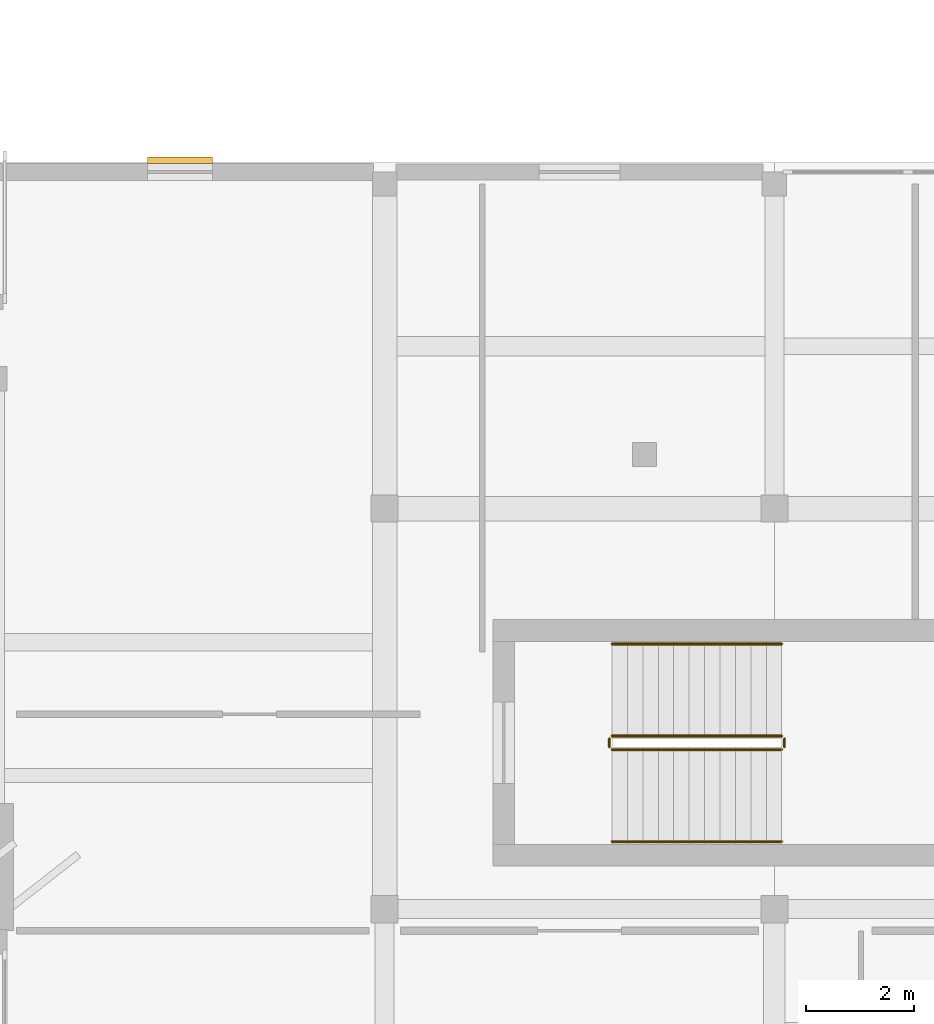
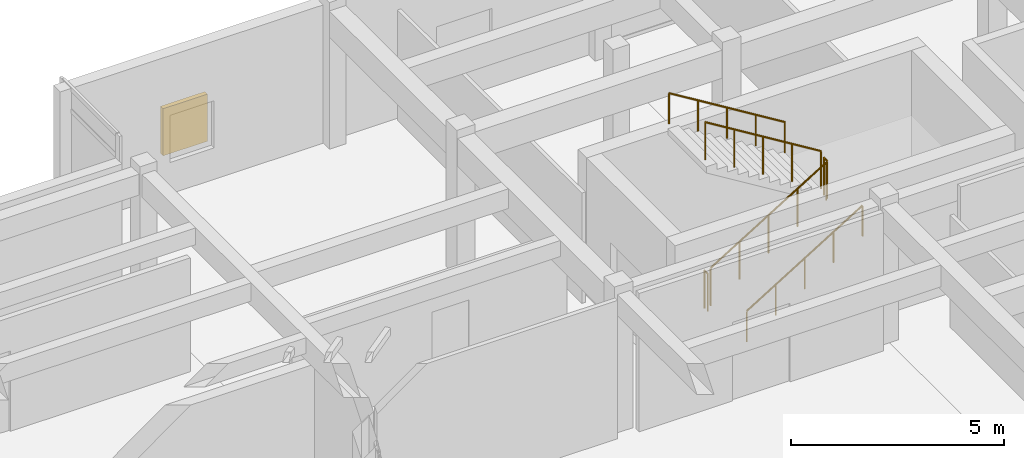
# One storey, part 44 of 47: 6 railings, 1 shading device.
"""IFC4 building model written with IfcOpenShell, lengths in metres."""

from ifc_helpers import new_model, si_unit, direction, frame, origin, origin_2d, place, context, subcontext, project, spatial, rectangle, circle, extrude, material, layer, layer_set, type_object, element, save


model = new_model("IFC4")

# Units and contexts
model_context = context("Model", 3, precision=1e-05, world=origin(), true_north=direction((0.0, 1.0)))
body_context = subcontext(model_context, "Body", "Model", "MODEL_VIEW")
ifc_project = project(units=[si_unit("LENGTHUNIT", "METRE"), si_unit("AREAUNIT", "SQUARE_METRE"), si_unit("VOLUMEUNIT", "CUBIC_METRE"), si_unit("PLANEANGLEUNIT", "RADIAN"), si_unit("MASSUNIT", "GRAM", prefix="KILO")], contexts=[model_context])

# Site, building, storey
site_placement = place(None, origin())
site = spatial("IfcSite", under=ifc_project, at=site_placement, CompositionType="ELEMENT")
building_placement = place(site_placement, origin())
building = spatial("IfcBuilding", under=site, at=building_placement, Name="Brisavento Harbour Community Centre", CompositionType="ELEMENT")
storey_placement = place(building_placement, frame((0.0, 0.0, 8.699951171875)))
storey = spatial("IfcBuildingStorey", under=building, at=storey_placement, Name="L02", CompositionType="ELEMENT", Elevation=8.699951171875)

# Railings
ifc_material_1 = material(Name="Stainless steel 1.4401", Category="steel")
railing_type_1 = type_object("IfcRailingType", Name="RL-ST-GUARD", PredefinedType="GUARDRAIL", material=ifc_material_1)
railing_1_placement = place(storey_placement, frame((119.39990234375, 17.949951171875, 0.175048828125)))
element("IfcRailing", 1, at=railing_1_placement, inside=storey, type_object=railing_type_1, Name="L02 ST-04 stair guard 1", PredefinedType="GUARDRAIL", context=body_context, shape_type="SweptSolid", body=[
    extrude(circle(Radius=0.02392578125, at=origin_2d()), frame((0.0, 0.0, 1.076171875), z_axis=(0.852166034122, 0.0, 0.523271488128), x_axis=(0.0, 1.0, 0.0)), (0.0, 0.0, 1.0), 3.678955078125),
    extrude(circle(Radius=0.02099609375, at=origin_2d()), origin(), (0.0, 0.0, 1.0), 1.052001953125),
    extrude(circle(Radius=0.02099609375, at=origin_2d()), frame((0.78369140625, 0.0, 0.481201171875)), (0.0, 0.0, 1.0), 1.052001953125),
    extrude(circle(Radius=0.02099609375, at=origin_2d()), frame((1.5673828125, 0.0, 0.96240234375)), (0.0, 0.0, 1.0), 1.052001953125),
    extrude(circle(Radius=0.02099609375, at=origin_2d()), frame((2.351318359375, 0.0, 1.44384765625)), (0.0, 0.0, 1.0), 1.052001953125),
    extrude(circle(Radius=0.02099609375, at=origin_2d()), frame((3.135009765625, 0.0, 1.925048828125)), (0.0, 0.0, 1.0), 1.052001953125),
])
railing_2_placement = place(storey_placement, frame((122.5849609375, 18.0, 2.10009765625)))
element("IfcRailing", 2, at=railing_2_placement, inside=storey, type_object=railing_type_1, Name="L02 ST-04 stair guard 2", PredefinedType="GUARDRAIL", context=body_context, shape_type="SweptSolid", body=[
    extrude(circle(Radius=0.02392578125, at=origin_2d()), frame((0.0, 0.0, 1.076171875), z_axis=(0.0, 1.0, 0.0), x_axis=(-1.0, 0.0, 0.0)), (0.0, 0.0, 1.0), 0.14990234375),
    extrude(circle(Radius=0.02099609375, at=origin_2d()), origin(), (0.0, 0.0, 1.0), 1.052001953125),
    extrude(circle(Radius=0.02099609375, at=origin_2d()), frame((0.0, 0.14990234375, 0.0)), (0.0, 0.0, 1.0), 1.052001953125),
])
railing_3_placement = place(storey_placement, frame((122.534912109375, 18.199951171875, 2.275146484375)))
element("IfcRailing", 3, at=railing_3_placement, inside=storey, type_object=railing_type_1, Name="L02 ST-04 stair guard 3", PredefinedType="GUARDRAIL", context=body_context, shape_type="SweptSolid", body=[
    extrude(circle(Radius=0.02392578125, at=origin_2d()), frame((0.0, 0.0, 1.076171875), z_axis=(-0.852195625947, 0.0, 0.523223293744), x_axis=(0.0, -1.0, 0.0)), (0.0, 0.0, 1.0), 3.6787109375),
    extrude(circle(Radius=0.02099609375, at=origin_2d()), origin(), (0.0, 0.0, 1.0), 1.052001953125),
    extrude(circle(Radius=0.02099609375, at=origin_2d()), frame((-0.78369140625, 0.0, 0.481201171875)), (0.0, 0.0, 1.0), 1.052001953125),
    extrude(circle(Radius=0.02099609375, at=origin_2d()), frame((-1.5673828125, 0.0, 0.96240234375)), (0.0, 0.0, 1.0), 1.052001953125),
    extrude(circle(Radius=0.02099609375, at=origin_2d()), frame((-2.351318359375, 0.0, 1.443603515625)), (0.0, 0.0, 1.0), 1.052001953125),
    extrude(circle(Radius=0.02099609375, at=origin_2d()), frame((-3.135009765625, 0.0, 1.9248046875)), (0.0, 0.0, 1.0), 1.052001953125),
])
railing_4_placement = place(storey_placement, frame((119.35009765625, 18.0, 0.0)))
element("IfcRailing", 4, at=railing_4_placement, inside=storey, type_object=railing_type_1, Name="L02 ST-04 stair guard 4", PredefinedType="GUARDRAIL", context=body_context, shape_type="SweptSolid", body=[
    extrude(circle(Radius=0.02392578125, at=origin_2d()), frame((0.0, 0.0, 1.076171875), z_axis=(0.0, 1.0, 0.0), x_axis=(-1.0, 0.0, 0.0)), (0.0, 0.0, 1.0), 0.14990234375),
    extrude(circle(Radius=0.02099609375, at=origin_2d()), origin(), (0.0, 0.0, 1.0), 1.052001953125),
    extrude(circle(Radius=0.02099609375, at=origin_2d()), frame((0.0, 0.14990234375, 0.0)), (0.0, 0.0, 1.0), 1.052001953125),
])
railing_type_2 = type_object("IfcRailingType", Name="RL-ST-HAND", PredefinedType="HANDRAIL", material=ifc_material_1)
railing_5_placement = place(storey_placement, frame((119.39990234375, 16.25, 0.175048828125)))
element("IfcRailing", 5, at=railing_5_placement, inside=storey, type_object=railing_type_2, Name="L02 ST-04 stair handrail 1", PredefinedType="HANDRAIL", context=body_context, shape_type="SweptSolid", body=[
    extrude(circle(Radius=0.02392578125, at=origin_2d()), frame((0.0, 0.0, 0.8759765625), z_axis=(0.852166034122, 0.0, 0.523271488128), x_axis=(0.0, 1.0, 0.0)), (0.0, 0.0, 1.0), 3.678955078125),
    extrude(circle(Radius=0.02099609375, at=origin_2d()), origin(), (0.0, 0.0, 1.0), 0.851806640625),
    extrude(circle(Radius=0.02099609375, at=origin_2d()), frame((0.78369140625, 0.0, 0.481201171875)), (0.0, 0.0, 1.0), 0.851806640625),
    extrude(circle(Radius=0.02099609375, at=origin_2d()), frame((1.5673828125, 0.0, 0.96240234375)), (0.0, 0.0, 1.0), 0.851806640625),
    extrude(circle(Radius=0.02099609375, at=origin_2d()), frame((2.351318359375, 0.0, 1.44384765625)), (0.0, 0.0, 1.0), 0.851806640625),
    extrude(circle(Radius=0.02099609375, at=origin_2d()), frame((3.135009765625, 0.0, 1.925048828125)), (0.0, 0.0, 1.0), 0.851806640625),
])
railing_6_placement = place(storey_placement, frame((122.534912109375, 19.89990234375, 2.275146484375)))
element("IfcRailing", 6, at=railing_6_placement, inside=storey, type_object=railing_type_2, Name="L02 ST-04 stair handrail 2", PredefinedType="HANDRAIL", context=body_context, shape_type="SweptSolid", body=[
    extrude(circle(Radius=0.02392578125, at=origin_2d()), frame((0.0, 0.0, 0.8759765625), z_axis=(-0.852195625947, 0.0, 0.523223293744), x_axis=(0.0, -1.0, 0.0)), (0.0, 0.0, 1.0), 3.6787109375),
    extrude(circle(Radius=0.02099609375, at=origin_2d()), origin(), (0.0, 0.0, 1.0), 0.851806640625),
    extrude(circle(Radius=0.02099609375, at=origin_2d()), frame((-0.78369140625, 0.0, 0.481201171875)), (0.0, 0.0, 1.0), 0.851806640625),
    extrude(circle(Radius=0.02099609375, at=origin_2d()), frame((-1.5673828125, 0.0, 0.96240234375)), (0.0, 0.0, 1.0), 0.851806640625),
    extrude(circle(Radius=0.02099609375, at=origin_2d()), frame((-2.351318359375, 0.0, 1.443603515625)), (0.0, 0.0, 1.0), 0.851806640625),
    extrude(circle(Radius=0.02099609375, at=origin_2d()), frame((-3.135009765625, 0.0, 1.9248046875)), (0.0, 0.0, 1.0), 0.851806640625),
])

# Shading device
ifc_material_2 = material(Name="Marine-anodised aluminium AW-6063-T6", Category="aluminium")
ifc_layer = layer(ifc_material_2, 0.1201171875, Name="Marine-anodised aluminium AW-6063-T6")
ifc_layer_set = layer_set([ifc_layer], Name="Marine-anodised aluminium AW-6063-T6")
shading_device_type = type_object("IfcShadingDeviceType", Name="SHD-LOUVRE", PredefinedType="JALOUSIE", material=ifc_layer_set)
shading_device_placement = place(storey_placement, frame((111.419921875, 28.8349609375, 0.89990234375), z_axis=(0.0, 0.0, 1.0), x_axis=(1.0, 0.0, 0.0)))
element("IfcShadingDevice", 7, at=shading_device_placement, inside=storey, type_object=shading_device_type, Name="L02 hurricane storm louvre 32", PredefinedType="JALOUSIE", context=body_context, shape_type="SweptSolid", body=[
    extrude(rectangle(XDim=1.199951171875, YDim=0.1201171875, at=origin_2d()), origin(), (0.0, 0.0, 1.0), 1.35009765625),
])

save(model, "model.ifc")
